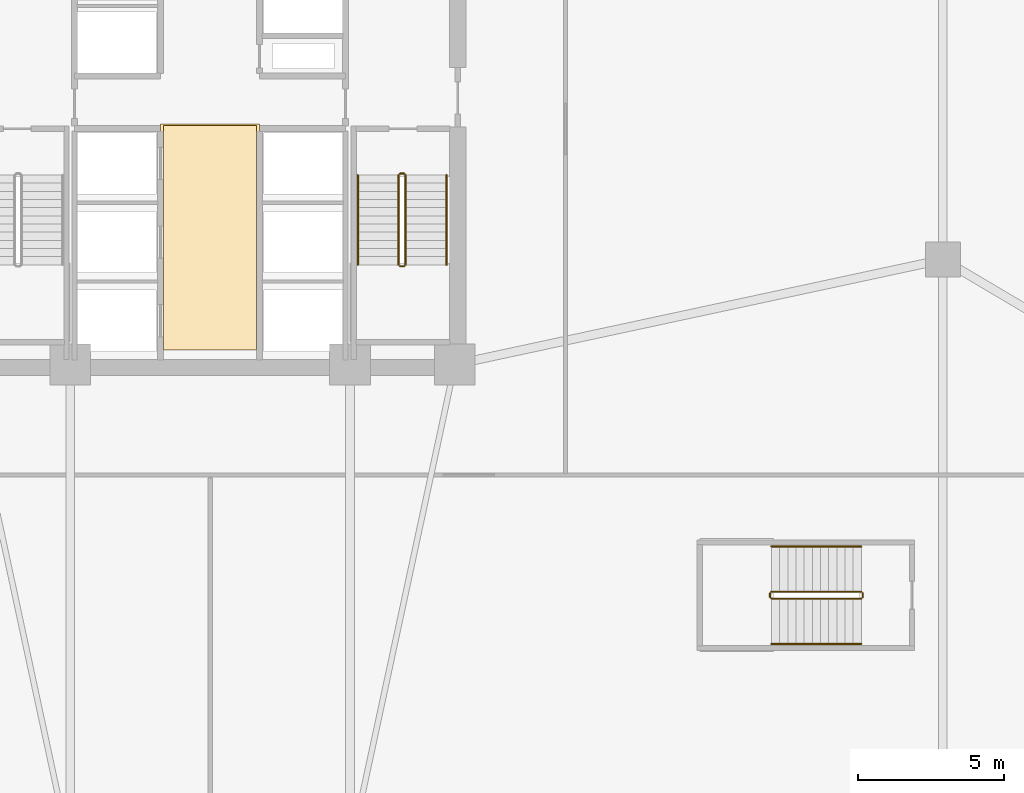
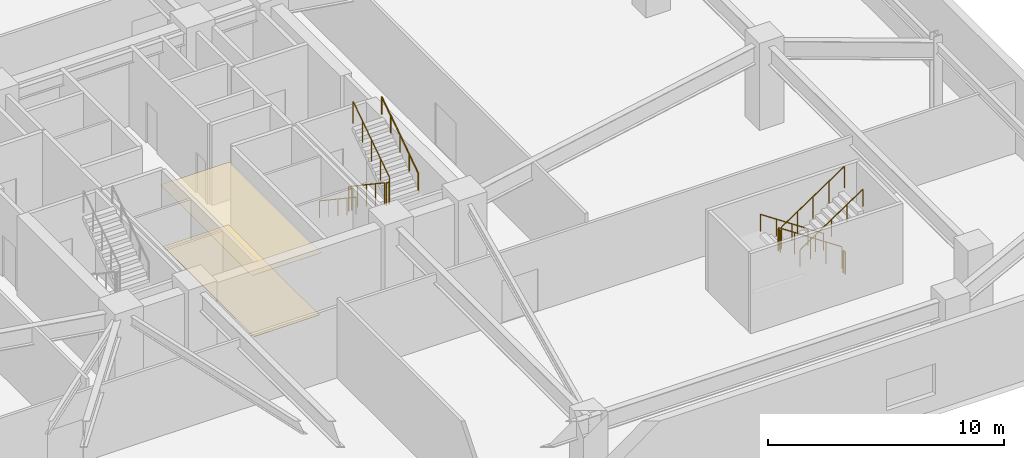
# One storey, part 18 of 21: 12 railings, 2 coverings.
"""IFC4 building model written with IfcOpenShell, lengths in metres."""

from ifc_helpers import new_model, si_unit, direction, frame, origin, origin_2d, place, context, subcontext, project, spatial, polyline, circle, outline, extrude, material, layer, layer_set, type_object, element, save


model = new_model("IFC4")

# Units and contexts
model_context = context("Model", 3, precision=1e-05, world=origin(), true_north=direction((0.0, 1.0)))
body_context = subcontext(model_context, "Body", "Model", "MODEL_VIEW")
ifc_project = project(units=[si_unit("LENGTHUNIT", "METRE"), si_unit("AREAUNIT", "SQUARE_METRE"), si_unit("VOLUMEUNIT", "CUBIC_METRE"), si_unit("PLANEANGLEUNIT", "RADIAN"), si_unit("MASSUNIT", "GRAM", prefix="KILO")], contexts=[model_context])

# Site, building, storey
site_placement = place(None, origin())
site = spatial("IfcSite", under=ifc_project, at=site_placement, CompositionType="ELEMENT")
building_placement = place(site_placement, origin())
building = spatial("IfcBuilding", under=site, at=building_placement, Name="Cairnveth Concourse Tower", CompositionType="ELEMENT")
storey_placement = place(building_placement, frame((0.0, 0.0, 14.5)))
storey = spatial("IfcBuildingStorey", under=building, at=storey_placement, Name="L03", CompositionType="ELEMENT", Elevation=14.5)

# Covering
ifc_material_1 = material(Name="Acoustic Mineral Fibre Ceiling", Category="gypsum")
ifc_layer_1 = layer(ifc_material_1, 0.02490234375)
ifc_layer_set_1 = layer_set([ifc_layer_1], Name="Acoustic Mineral Fibre Ceiling")
covering_type_1 = type_object("IfcCoveringType", Name="ACOUSTIC MINERAL FIBRE CEILING 25", PredefinedType="CEILING", material=ifc_layer_set_1)
covering_1_placement = place(storey_placement, frame((0.0, 0.0, 3.18603515625)))
element("IfcCovering", 1, at=covering_1_placement, inside=storey, type_object=covering_type_1, Name="Lift Lobby Acoustic Ceiling L03", PredefinedType="CEILING", context=body_context, shape_type="SweptSolid", body=[
    extrude(outline(polyline([(50.300048828125, 31.10009765625), (53.699951171875, 31.10009765625), (53.699951171875, 38.85009765625), (50.300048828125, 38.85009765625), (50.300048828125, 31.10009765625)])), origin(), (0.0, 0.0, 1.0), 0.02490234375),
])

# Railings
ifc_material_2 = material(Name="Steel Grade 350", Category="steel")
railing_type_1 = type_object("IfcRailingType", Name="STAIR GUARDRAIL 1150", PredefinedType="GUARDRAIL", material=ifc_material_2)
railing_1_placement = place(storey_placement, frame((58.469970703125, 37.10009765625, 0.1875)))
element("IfcRailing", 2, at=railing_1_placement, inside=storey, type_object=railing_type_1, Name="L03 ST-2 stair guard 1", PredefinedType="GUARDRAIL", context=body_context, shape_type="SweptSolid", body=[
    extrude(circle(Radius=0.02392578125, at=origin_2d()), frame((0.0, 0.0, 1.1259765625), z_axis=(0.0, -0.830913701846, 0.55640131208), x_axis=(1.0, 0.0, 0.0)), (0.0, 0.0, 1.0), 3.706787109375),
    extrude(circle(Radius=0.02099609375, at=origin_2d()), origin(), (0.0, 0.0, 1.0), 1.101806640625),
    extrude(circle(Radius=0.02099609375, at=origin_2d()), frame((0.0, -0.77001953125, 0.515625)), (0.0, 0.0, 1.0), 1.101806640625),
    extrude(circle(Radius=0.02099609375, at=origin_2d()), frame((0.0, -1.5400390625, 1.03125)), (0.0, 0.0, 1.0), 1.101806640625),
    extrude(circle(Radius=0.02099609375, at=origin_2d()), frame((0.0, -2.31005859375, 1.546875)), (0.0, 0.0, 1.0), 1.101806640625),
    extrude(circle(Radius=0.02099609375, at=origin_2d()), frame((0.0, -3.080078125, 2.0625)), (0.0, 0.0, 1.0), 1.101806640625),
])
railing_2_placement = place(storey_placement, frame((58.52001953125, 33.969970703125, 2.25)))
element("IfcRailing", 3, at=railing_2_placement, inside=storey, type_object=railing_type_1, Name="L03 ST-2 stair guard 2", PredefinedType="GUARDRAIL", context=body_context, shape_type="SweptSolid", body=[
    extrude(circle(Radius=0.02392578125, at=origin_2d()), frame((0.0, 0.0, 1.1259765625), z_axis=(1.0, 0.0, 0.0), x_axis=(0.0, 1.0, 0.0)), (0.0, 0.0, 1.0), 0.139892578125),
    extrude(circle(Radius=0.02099609375, at=origin_2d()), origin(), (0.0, 0.0, 1.0), 1.101806640625),
    extrude(circle(Radius=0.02099609375, at=origin_2d()), frame((0.139892578125, 0.0, 0.0)), (0.0, 0.0, 1.0), 1.101806640625),
])
railing_3_placement = place(storey_placement, frame((58.7099609375, 34.02001953125, 2.4375)))
element("IfcRailing", 4, at=railing_3_placement, inside=storey, type_object=railing_type_1, Name="L03 ST-2 stair guard 3", PredefinedType="GUARDRAIL", context=body_context, shape_type="SweptSolid", body=[
    extrude(circle(Radius=0.02392578125, at=origin_2d()), frame((0.0, 0.0, 1.1259765625), z_axis=(0.0, 0.830913701846, 0.55640131208), x_axis=(-1.0, 0.0, 0.0)), (0.0, 0.0, 1.0), 3.706787109375),
    extrude(circle(Radius=0.02099609375, at=origin_2d()), origin(), (0.0, 0.0, 1.0), 1.101806640625),
    extrude(circle(Radius=0.02099609375, at=origin_2d()), frame((0.0, 0.77001953125, 0.515625)), (0.0, 0.0, 1.0), 1.101806640625),
    extrude(circle(Radius=0.02099609375, at=origin_2d()), frame((0.0, 1.5400390625, 1.03125)), (0.0, 0.0, 1.0), 1.101806640625),
    extrude(circle(Radius=0.02099609375, at=origin_2d()), frame((0.0, 2.31005859375, 1.546875)), (0.0, 0.0, 1.0), 1.101806640625),
    extrude(circle(Radius=0.02099609375, at=origin_2d()), frame((0.0, 3.080078125, 2.0625)), (0.0, 0.0, 1.0), 1.101806640625),
])
railing_4_placement = place(storey_placement, frame((58.52001953125, 37.14990234375, 0.0)))
element("IfcRailing", 5, at=railing_4_placement, inside=storey, type_object=railing_type_1, Name="L03 ST-2 stair guard 4", PredefinedType="GUARDRAIL", context=body_context, shape_type="SweptSolid", body=[
    extrude(circle(Radius=0.02392578125, at=origin_2d()), frame((0.0, 0.0, 1.1259765625), z_axis=(1.0, 0.0, 0.0), x_axis=(0.0, 1.0, 0.0)), (0.0, 0.0, 1.0), 0.139892578125),
    extrude(circle(Radius=0.02099609375, at=origin_2d()), origin(), (0.0, 0.0, 1.0), 1.101806640625),
    extrude(circle(Radius=0.02099609375, at=origin_2d()), frame((0.139892578125, 0.0, 0.0)), (0.0, 0.0, 1.0), 1.101806640625),
])
railing_5_placement = place(storey_placement, frame((74.35009765625, 22.800048828125, 0.1875)))
element("IfcRailing", 6, at=railing_5_placement, inside=storey, type_object=railing_type_1, Name="L03 ST-P2 stair guard 1", PredefinedType="GUARDRAIL", context=body_context, shape_type="SweptSolid", body=[
    extrude(circle(Radius=0.02392578125, at=origin_2d()), frame((0.0, 0.0, 1.1259765625), z_axis=(-0.830913701846, 0.0, 0.55640131208), x_axis=(0.0, -1.0, 0.0)), (0.0, 0.0, 1.0), 3.706787109375),
    extrude(circle(Radius=0.02099609375, at=origin_2d()), origin(), (0.0, 0.0, 1.0), 1.101806640625),
    extrude(circle(Radius=0.02099609375, at=origin_2d()), frame((-0.77001953125, 0.0, 0.515625)), (0.0, 0.0, 1.0), 1.101806640625),
    extrude(circle(Radius=0.02099609375, at=origin_2d()), frame((-1.5400390625, 0.0, 1.03125)), (0.0, 0.0, 1.0), 1.101806640625),
    extrude(circle(Radius=0.02099609375, at=origin_2d()), frame((-2.31005859375, 0.0, 1.546875)), (0.0, 0.0, 1.0), 1.101806640625),
    extrude(circle(Radius=0.02099609375, at=origin_2d()), frame((-3.080078125, 0.0, 2.0625)), (0.0, 0.0, 1.0), 1.101806640625),
])
railing_6_placement = place(storey_placement, frame((71.219970703125, 22.75, 2.25)))
element("IfcRailing", 7, at=railing_6_placement, inside=storey, type_object=railing_type_1, Name="L03 ST-P2 stair guard 2", PredefinedType="GUARDRAIL", context=body_context, shape_type="SweptSolid", body=[
    extrude(circle(Radius=0.02392578125, at=origin_2d()), frame((0.0, 0.0, 1.1259765625), z_axis=(0.0, -1.0, 0.0), x_axis=(1.0, 0.0, 0.0)), (0.0, 0.0, 1.0), 0.139892578125),
    extrude(circle(Radius=0.02099609375, at=origin_2d()), origin(), (0.0, 0.0, 1.0), 1.101806640625),
    extrude(circle(Radius=0.02099609375, at=origin_2d()), frame((0.0, -0.139892578125, 0.0)), (0.0, 0.0, 1.0), 1.101806640625),
])
railing_7_placement = place(storey_placement, frame((71.27001953125, 22.56005859375, 2.4375)))
element("IfcRailing", 8, at=railing_7_placement, inside=storey, type_object=railing_type_1, Name="L03 ST-P2 stair guard 3", PredefinedType="GUARDRAIL", context=body_context, shape_type="SweptSolid", body=[
    extrude(circle(Radius=0.02392578125, at=origin_2d()), frame((0.0, 0.0, 1.1259765625), z_axis=(0.830913701846, 0.0, 0.55640131208), x_axis=(0.0, 1.0, 0.0)), (0.0, 0.0, 1.0), 3.706787109375),
    extrude(circle(Radius=0.02099609375, at=origin_2d()), origin(), (0.0, 0.0, 1.0), 1.101806640625),
    extrude(circle(Radius=0.02099609375, at=origin_2d()), frame((0.77001953125, 0.0, 0.515625)), (0.0, 0.0, 1.0), 1.101806640625),
    extrude(circle(Radius=0.02099609375, at=origin_2d()), frame((1.5400390625, 0.0, 1.03125)), (0.0, 0.0, 1.0), 1.101806640625),
    extrude(circle(Radius=0.02099609375, at=origin_2d()), frame((2.31005859375, 0.0, 1.546875)), (0.0, 0.0, 1.0), 1.101806640625),
    extrude(circle(Radius=0.02099609375, at=origin_2d()), frame((3.080078125, 0.0, 2.0625)), (0.0, 0.0, 1.0), 1.101806640625),
])
railing_8_placement = place(storey_placement, frame((74.39990234375, 22.75, 0.0)))
element("IfcRailing", 9, at=railing_8_placement, inside=storey, type_object=railing_type_1, Name="L03 ST-P2 stair guard 4", PredefinedType="GUARDRAIL", context=body_context, shape_type="SweptSolid", body=[
    extrude(circle(Radius=0.02392578125, at=origin_2d()), frame((0.0, 0.0, 1.1259765625), z_axis=(0.0, -1.0, 0.0), x_axis=(1.0, 0.0, 0.0)), (0.0, 0.0, 1.0), 0.139892578125),
    extrude(circle(Radius=0.02099609375, at=origin_2d()), origin(), (0.0, 0.0, 1.0), 1.101806640625),
    extrude(circle(Radius=0.02099609375, at=origin_2d()), frame((0.0, -0.139892578125, 0.0)), (0.0, 0.0, 1.0), 1.101806640625),
])
railing_type_2 = type_object("IfcRailingType", Name="STAIR WALL HANDRAIL 900", PredefinedType="HANDRAIL", material=ifc_material_2)
railing_9_placement = place(storey_placement, frame((57.070068359375, 37.10009765625, 0.1875)))
element("IfcRailing", 10, at=railing_9_placement, inside=storey, type_object=railing_type_2, Name="L03 ST-2 stair handrail 1", PredefinedType="HANDRAIL", context=body_context, shape_type="SweptSolid", body=[
    extrude(circle(Radius=0.02392578125, at=origin_2d()), frame((0.0, 0.0, 0.8759765625), z_axis=(0.0, -0.830913701846, 0.55640131208), x_axis=(1.0, 0.0, 0.0)), (0.0, 0.0, 1.0), 3.706787109375),
    extrude(circle(Radius=0.02099609375, at=origin_2d()), origin(), (0.0, 0.0, 1.0), 0.851806640625),
    extrude(circle(Radius=0.02099609375, at=origin_2d()), frame((0.0, -0.77001953125, 0.515625)), (0.0, 0.0, 1.0), 0.851806640625),
    extrude(circle(Radius=0.02099609375, at=origin_2d()), frame((0.0, -1.5400390625, 1.03125)), (0.0, 0.0, 1.0), 0.851806640625),
    extrude(circle(Radius=0.02099609375, at=origin_2d()), frame((0.0, -2.31005859375, 1.546875)), (0.0, 0.0, 1.0), 0.851806640625),
    extrude(circle(Radius=0.02099609375, at=origin_2d()), frame((0.0, -3.080078125, 2.0625)), (0.0, 0.0, 1.0), 0.851806640625),
])
railing_10_placement = place(storey_placement, frame((60.110107421875, 34.02001953125, 2.4375)))
element("IfcRailing", 11, at=railing_10_placement, inside=storey, type_object=railing_type_2, Name="L03 ST-2 stair handrail 2", PredefinedType="HANDRAIL", context=body_context, shape_type="SweptSolid", body=[
    extrude(circle(Radius=0.02392578125, at=origin_2d()), frame((0.0, 0.0, 0.8759765625), z_axis=(0.0, 0.830913701846, 0.55640131208), x_axis=(-1.0, 0.0, 0.0)), (0.0, 0.0, 1.0), 3.706787109375),
    extrude(circle(Radius=0.02099609375, at=origin_2d()), origin(), (0.0, 0.0, 1.0), 0.851806640625),
    extrude(circle(Radius=0.02099609375, at=origin_2d()), frame((0.0, 0.77001953125, 0.515625)), (0.0, 0.0, 1.0), 0.851806640625),
    extrude(circle(Radius=0.02099609375, at=origin_2d()), frame((0.0, 1.5400390625, 1.03125)), (0.0, 0.0, 1.0), 0.851806640625),
    extrude(circle(Radius=0.02099609375, at=origin_2d()), frame((0.0, 2.31005859375, 1.546875)), (0.0, 0.0, 1.0), 0.851806640625),
    extrude(circle(Radius=0.02099609375, at=origin_2d()), frame((0.0, 3.080078125, 2.0625)), (0.0, 0.0, 1.0), 0.851806640625),
])
railing_11_placement = place(storey_placement, frame((74.35009765625, 24.35009765625, 0.1875)))
element("IfcRailing", 12, at=railing_11_placement, inside=storey, type_object=railing_type_2, Name="L03 ST-P2 stair handrail 1", PredefinedType="HANDRAIL", context=body_context, shape_type="SweptSolid", body=[
    extrude(circle(Radius=0.02392578125, at=origin_2d()), frame((0.0, 0.0, 0.8759765625), z_axis=(-0.830913701846, 0.0, 0.55640131208), x_axis=(0.0, -1.0, 0.0)), (0.0, 0.0, 1.0), 3.706787109375),
    extrude(circle(Radius=0.02099609375, at=origin_2d()), origin(), (0.0, 0.0, 1.0), 0.851806640625),
    extrude(circle(Radius=0.02099609375, at=origin_2d()), frame((-0.77001953125, 0.0, 0.515625)), (0.0, 0.0, 1.0), 0.851806640625),
    extrude(circle(Radius=0.02099609375, at=origin_2d()), frame((-1.5400390625, 0.0, 1.03125)), (0.0, 0.0, 1.0), 0.851806640625),
    extrude(circle(Radius=0.02099609375, at=origin_2d()), frame((-2.31005859375, 0.0, 1.546875)), (0.0, 0.0, 1.0), 0.851806640625),
    extrude(circle(Radius=0.02099609375, at=origin_2d()), frame((-3.080078125, 0.0, 2.0625)), (0.0, 0.0, 1.0), 0.851806640625),
])
railing_12_placement = place(storey_placement, frame((71.27001953125, 21.010009765625, 2.4375)))
element("IfcRailing", 13, at=railing_12_placement, inside=storey, type_object=railing_type_2, Name="L03 ST-P2 stair handrail 2", PredefinedType="HANDRAIL", context=body_context, shape_type="SweptSolid", body=[
    extrude(circle(Radius=0.02392578125, at=origin_2d()), frame((0.0, 0.0, 0.8759765625), z_axis=(0.830913701846, 0.0, 0.55640131208), x_axis=(0.0, 1.0, 0.0)), (0.0, 0.0, 1.0), 3.706787109375),
    extrude(circle(Radius=0.02099609375, at=origin_2d()), origin(), (0.0, 0.0, 1.0), 0.851806640625),
    extrude(circle(Radius=0.02099609375, at=origin_2d()), frame((0.77001953125, 0.0, 0.515625)), (0.0, 0.0, 1.0), 0.851806640625),
    extrude(circle(Radius=0.02099609375, at=origin_2d()), frame((1.5400390625, 0.0, 1.03125)), (0.0, 0.0, 1.0), 0.851806640625),
    extrude(circle(Radius=0.02099609375, at=origin_2d()), frame((2.31005859375, 0.0, 1.546875)), (0.0, 0.0, 1.0), 0.851806640625),
    extrude(circle(Radius=0.02099609375, at=origin_2d()), frame((3.080078125, 0.0, 2.0625)), (0.0, 0.0, 1.0), 0.851806640625),
])

# Covering
ifc_material_3 = material(Name="Vitrified Stoneware Tile Flooring", Category="masonry")
ifc_layer_2 = layer(ifc_material_3, 0.02001953125)
ifc_layer_set_2 = layer_set([ifc_layer_2], Name="Vitrified Stoneware Tile Flooring")
covering_type_2 = type_object("IfcCoveringType", Name="VITRIFIED STONEWARE LOBBY FLOORING 20", PredefinedType="FLOORING", material=ifc_layer_set_2)
covering_2_placement = place(storey_placement, origin())
element("IfcCovering", 14, at=covering_2_placement, inside=storey, type_object=covering_type_2, Name="Lift Lobby Stoneware Flooring L03", PredefinedType="FLOORING", context=body_context, shape_type="SweptSolid", body=[
    extrude(outline(polyline([(50.39990234375, 31.10009765625), (53.60009765625, 31.10009765625), (53.60009765625, 38.800048828125), (50.39990234375, 38.800048828125), (50.39990234375, 31.10009765625)])), origin(), (0.0, 0.0, 1.0), 0.02001953125),
])

save(model, "model.ifc")
